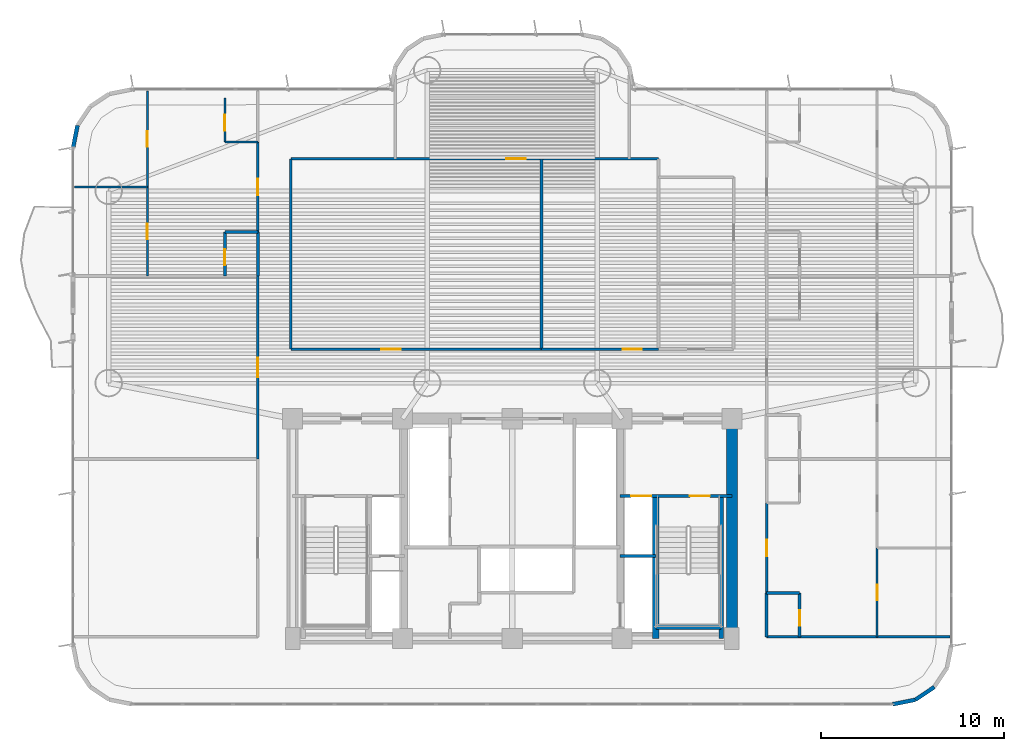
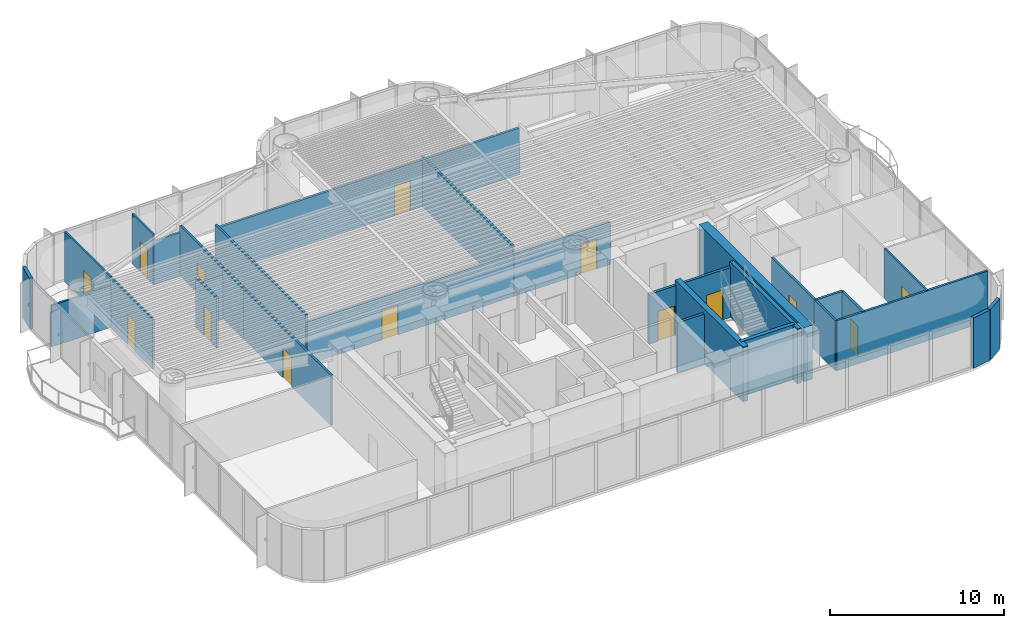
# One storey, part 11 of 18: 30 walls, 14 doors, 14 openings.
"""IFC4 building model written with IfcOpenShell, lengths in metres."""

from ifc_helpers import new_model, si_unit, direction, frame, frame_2d, origin, origin_2d, place, context, subcontext, project, spatial, rectangle, extrude, source, transform, mapped, material, layer, layer_set, type_object, element, fill, save


model = new_model("IFC4")

# Units and contexts
model_context = context("Model", 3, precision=1e-05, world=origin(), true_north=direction((0.0, 1.0)))
body_context = subcontext(model_context, "Body", "Model", "MODEL_VIEW")
ifc_project = project(units=[si_unit("LENGTHUNIT", "METRE"), si_unit("AREAUNIT", "SQUARE_METRE"), si_unit("VOLUMEUNIT", "CUBIC_METRE"), si_unit("PLANEANGLEUNIT", "RADIAN"), si_unit("MASSUNIT", "GRAM", prefix="KILO")], contexts=[model_context])

# Site, building, storey
site_placement = place(None, origin())
site = spatial("IfcSite", under=ifc_project, at=site_placement, CompositionType="ELEMENT")
building_placement = place(site_placement, origin())
building = spatial("IfcBuilding", under=site, at=building_placement, Name="Brelvock Crest Care Tower", CompositionType="ELEMENT")
storey_placement = place(building_placement, frame((0.0, 0.0, 72.360107421875)))
storey = spatial("IfcBuildingStorey", under=building, at=storey_placement, Name="L18", CompositionType="ELEMENT", Elevation=72.360107421875)

# Walls
ifc_material_1 = material(Name="Concrete S80 (80 MPa)", Category="concrete")
ifc_layer_1 = layer(ifc_material_1, 0.60009765625, Name="WL-CS1")
ifc_layer_set_1 = layer_set([ifc_layer_1], Name="Concrete S80 (80 MPa)")
wall_type_1 = type_object("IfcWallType", Name="WL-CS1", PredefinedType="SHEAR", material=ifc_layer_set_1)
wall_1_placement = place(storey_placement, frame((48.0, 18.0, 0.0), z_axis=(0.0, 0.0, 1.0), x_axis=(0.0, -1.0, 0.0)))
element("IfcWall", 1, at=wall_1_placement, inside=storey, type_object=wall_type_1, Name="L18 Core East Shear Wall", PredefinedType="SHEAR", context=body_context, shape_type="SweptSolid", body=[
    extrude(rectangle(XDim=12.0, YDim=0.60009765625, at=frame_2d((6.0, 0.0))), origin(), (0.0, 0.0, 1.0), 3.77978515625),
])
ifc_layer_2 = layer(ifc_material_1, 0.35009765625, Name="WL-CS5")
ifc_layer_set_2 = layer_set([ifc_layer_2], Name="Concrete S80 (80 MPa)")
wall_type_2 = type_object("IfcWallType", Name="WL-CS5", PredefinedType="SHEAR", material=ifc_layer_set_2)
wall_2_placement = place(storey_placement, frame((43.85009765625, 6.0, 0.0), z_axis=(0.0, 0.0, 1.0), x_axis=(0.0, 1.0, 0.0)))
element("IfcWall", 2, at=wall_2_placement, inside=storey, type_object=wall_type_2, Name="L18 Core Stair ST-2 West Shear Wall", PredefinedType="SHEAR", context=body_context, shape_type="SweptSolid", body=[
    extrude(rectangle(XDim=7.780029296875, YDim=0.35009765625, at=frame_2d((3.89013671875, 0.0))), origin(), (0.0, 0.0, 1.0), 3.849853515625),
])
ifc_layer_3 = layer(ifc_material_1, 0.25, Name="WL-CS6")
ifc_layer_set_3 = layer_set([ifc_layer_3], Name="Concrete S80 (80 MPa)")
wall_type_3 = type_object("IfcWallType", Name="WL-CS6", PredefinedType="SHEAR", material=ifc_layer_set_3)
wall_3_placement = place(storey_placement, frame((47.419921875, 6.0, 0.0), z_axis=(0.0, 0.0, 1.0), x_axis=(0.0, 1.0, 0.0)))
element("IfcWall", 3, at=wall_3_placement, inside=storey, type_object=wall_type_3, Name="L18 Core Stair ST-2 East Shear Wall", PredefinedType="SHEAR", context=body_context, shape_type="SweptSolid", body=[
    extrude(rectangle(XDim=7.780029296875, YDim=0.25, at=frame_2d((3.89013671875, 0.0))), origin(), (0.0, 0.0, 1.0), 3.849853515625),
])
wall_4_placement = place(storey_placement, frame((43.85009765625, 6.6201171875, 0.0), z_axis=(0.0, 0.0, 1.0), x_axis=(1.0, 0.0, 0.0)))
element("IfcWall", 4, at=wall_4_placement, inside=storey, type_object=wall_type_3, Name="L18 Core Stair ST-2 South Shear Wall", PredefinedType="SHEAR", context=body_context, shape_type="SweptSolid", body=[
    extrude(rectangle(XDim=3.56982421875, YDim=0.25, at=frame_2d((1.784912109375, 0.0))), origin(), (0.0, 0.0, 1.0), 3.849853515625),
])
ifc_material_2 = material(Name="Precast concrete N40 (40 MPa)", Category="concrete")
ifc_layer_4 = layer(ifc_material_2, 0.215087890625, Name="WL-EX2")
ifc_layer_set_4 = layer_set([ifc_layer_4], Name="Precast concrete N40 (40 MPa)")
wall_type_4 = type_object("IfcWallType", Name="WL-EX2", PredefinedType="SOLIDWALL", material=ifc_layer_set_4)
for number, where, z_axis, x_axis, name in (
    (5, (59.062744140625, 3.33740234375, 0.0), (0.0, 0.0, 1.0), (-0.831387912822, -0.555692485475, 0.0), "L18 Rounded Corner Wall 06"),
    (6, (58.024658203125, 2.6435546875, 0.0), (0.0, 0.0, 1.0), (-0.980775717779, -0.195138390419, 0.0), "L18 Rounded Corner Wall 07"),
    (7, (12.0, 32.800048828125, 0.0), (0.0, 0.0, 1.0), (0.195138390419, 0.980775717779, 0.0), "L18 Rounded Corner Wall 14"),
):
    element("IfcWall", number, at=place(storey_placement, frame(where, z_axis=z_axis, x_axis=x_axis)), inside=storey, type_object=wall_type_4, Name=name, PredefinedType="SOLIDWALL", context=body_context, shape_type="SweptSolid", body=[
        extrude(rectangle(XDim=1.24853515625, YDim=0.215087890625, at=frame_2d((0.624267578125, 0.0))), origin(), (0.0, 0.0, 1.0), 3.52978515625),
    ])
ifc_material_3 = material(Name="Masonry Blockwork Acoustic Partition", Category="masonry")
ifc_layer_5 = layer(ifc_material_3, 0.14990234375, Name="WL-INT1")
ifc_layer_set_5 = layer_set([ifc_layer_5], Name="Masonry Blockwork Acoustic Partition")
wall_type_5 = type_object("IfcWallType", Name="WL-INT1", PredefinedType="PARTITIONING", material=ifc_layer_set_5)
wall_5_placement = place(storey_placement, frame((49.89990234375, 6.080078125, 0.0), z_axis=(0.0, 0.0, 1.0), x_axis=(1.0, 0.0, 0.0)))
element("IfcWall", 8, at=wall_5_placement, inside=storey, type_object=wall_type_5, Name="L18 Interior Wall WL-BX-L18-FL-EW1-S", PredefinedType="PARTITIONING", context=body_context, shape_type="SweptSolid", body=[
    extrude(rectangle(XDim=10.02001953125, YDim=0.14990234375, at=frame_2d((5.010009765625, 0.0))), origin(), (0.0, 0.0, 1.0), 3.5),
])

# Wall, opening, door
wall_6_placement = place(storey_placement, frame((23.89990234375, 21.800048828125, 0.0), z_axis=(0.0, 0.0, 1.0), x_axis=(1.0, 0.0, 0.0)))
wall_6 = element("IfcWall", 9, at=wall_6_placement, inside=storey, type_object=wall_type_5, Name="L18 Interior Wall WL-RM-L18-CNW", PredefinedType="PARTITIONING", context=body_context, shape_type="SweptSolid", body=[
    extrude(rectangle(XDim=13.7001953125, YDim=0.14990234375, at=frame_2d((6.85009765625, 0.0))), origin(), (0.0, 0.0, 1.0), 2.98193359375),
])
opening_1_placement = place(wall_6_placement, frame((4.955078125, 0.0, 0.0)))
opening_1 = element("IfcOpeningElement", 10, at=opening_1_placement, cuts=wall_6, Name="Opening CLD-1", PredefinedType="OPENING", context=body_context, shape_type="SweptSolid", body=[
    extrude(rectangle(XDim=1.050048828125, YDim=2.10009765625, at=origin_2d()), frame((0.52490234375, 0.0849609375, 1.050048828125), z_axis=(0.0, -1.0, 0.0), x_axis=(1.0, 0.0, 0.0)), (0.0, 0.0, 1.0), 0.169921875),
])
ifc_material_4 = material(Name="Engineered Hardwood Timber", Category="wood")
door_type_1 = type_object("IfcDoorType", Name="DR-CLN1", OperationType="NOTDEFINED", PredefinedType="DOOR", material=ifc_material_4)
shared_shape_1 = source(origin(), body_context, "Body", "SweptSolid", [
    extrude(rectangle(XDim=1.050048828125, YDim=2.10009765625, at=origin_2d()), frame((0.52490234375, 0.02490234375, 1.050048828125), z_axis=(0.0, -1.0, 0.0), x_axis=(1.0, 0.0, 0.0)), (0.0, 0.0, 1.0), 0.050048828125),
])
door_1_placement = place(opening_1_placement, origin())
door_1 = element("IfcDoor", 11, at=door_1_placement, inside=storey, type_object=door_type_1, Name="L18 Communal Dining Conservatory Door CNW", OperationType="SINGLE_SWING_LEFT", OverallHeight=2.10009765625, OverallWidth=1.050048828125, PredefinedType="DOOR", context=body_context, shape_type="MappedRepresentation", body=[
    mapped(shared_shape_1, transform((0.0, 0.0, 0.0), x_axis=(1.0, 0.0, 0.0), y_axis=(0.0, 1.0, 0.0), z_axis=(0.0, 0.0, 1.0), scale=1.0)),
])
fill(opening_1, door_1)

wall_7_placement = place(storey_placement, frame((37.60009765625, 21.800048828125, 0.0), z_axis=(0.0, 0.0, 1.0), x_axis=(1.0, 0.0, 0.0)))
wall_7 = element("IfcWall", 12, at=wall_7_placement, inside=storey, type_object=wall_type_5, Name="L18 Interior Wall WL-RM-L18-CNE", PredefinedType="PARTITIONING", context=body_context, shape_type="SweptSolid", body=[
    extrude(rectangle(XDim=6.39990234375, YDim=0.14990234375, at=frame_2d((3.199951171875, 0.0))), origin(), (0.0, 0.0, 1.0), 2.98193359375),
])
opening_2_placement = place(wall_7_placement, frame((4.43505859375, 0.0, 0.0)))
opening_2 = element("IfcOpeningElement", 13, at=opening_2_placement, cuts=wall_7, Name="Opening CLD-1", PredefinedType="OPENING", context=body_context, shape_type="SweptSolid", body=[
    extrude(rectangle(XDim=1.050048828125, YDim=2.10009765625, at=origin_2d()), frame((0.52490234375, 0.0849609375, 1.050048828125), z_axis=(0.0, -1.0, 0.0), x_axis=(1.0, 0.0, 0.0)), (0.0, 0.0, 1.0), 0.169921875),
])
door_2_placement = place(opening_2_placement, origin())
door_2 = element("IfcDoor", 14, at=door_2_placement, inside=storey, type_object=door_type_1, Name="L18 Geriatric Nurse Consultation Hub Door CNE", OperationType="SINGLE_SWING_LEFT", OverallHeight=2.10009765625, OverallWidth=1.050048828125, PredefinedType="DOOR", context=body_context, shape_type="MappedRepresentation", body=[
    mapped(shared_shape_1, transform((0.0, 0.0, 0.0), x_axis=(1.0, 0.0, 0.0), y_axis=(0.0, 1.0, 0.0), z_axis=(0.0, 0.0, 1.0), scale=1.0)),
])
fill(opening_2, door_2)

wall_8_placement = place(storey_placement, frame((23.89990234375, 32.199951171875, 0.0), z_axis=(0.0, 0.0, 1.0), x_axis=(1.0, 0.0, 0.0)))
wall_8 = element("IfcWall", 15, at=wall_8_placement, inside=storey, type_object=wall_type_5, Name="L18 Interior Wall WL-RM-L18-NHUB", PredefinedType="PARTITIONING", context=body_context, shape_type="SweptSolid", body=[
    extrude(rectangle(XDim=20.10009765625, YDim=0.14990234375, at=frame_2d((10.050048828125, 0.0))), origin(), (0.0, 0.0, 1.0), 3.2587890625),
])
opening_3_placement = place(wall_8_placement, frame((11.77490234375, 0.0, 0.0)))
opening_3 = element("IfcOpeningElement", 16, at=opening_3_placement, cuts=wall_8, Name="Opening CLD-1", PredefinedType="OPENING", context=body_context, shape_type="SweptSolid", body=[
    extrude(rectangle(XDim=1.050048828125, YDim=2.10009765625, at=origin_2d()), frame((0.52490234375, 0.0849609375, 1.050048828125), z_axis=(0.0, -1.0, 0.0), x_axis=(1.0, 0.0, 0.0)), (0.0, 0.0, 1.0), 0.169921875),
])
door_3_placement = place(opening_3_placement, origin())
door_3 = element("IfcDoor", 17, at=door_3_placement, inside=storey, type_object=door_type_1, Name="L18 Harbour Wintergarden Lounge Door NHUB", OperationType="SINGLE_SWING_LEFT", OverallHeight=2.10009765625, OverallWidth=1.050048828125, PredefinedType="DOOR", context=body_context, shape_type="MappedRepresentation", body=[
    mapped(shared_shape_1, transform((0.0, 0.0, 0.0), x_axis=(1.0, 0.0, 0.0), y_axis=(0.0, 1.0, 0.0), z_axis=(0.0, 0.0, 1.0), scale=1.0)),
])
fill(opening_3, door_3)

wall_9_placement = place(storey_placement, frame((22.10009765625, 15.800048828125, 0.0), z_axis=(0.0, 0.0, 1.0), x_axis=(0.0, 1.0, 0.0)))
wall_9 = element("IfcWall", 18, at=wall_9_placement, inside=storey, type_object=wall_type_5, Name="L18 Interior Wall WL-RM-L18-WWC2", PredefinedType="PARTITIONING", context=body_context, shape_type="SweptSolid", body=[
    extrude(rectangle(XDim=10.0, YDim=0.14990234375, at=frame_2d((5.0, 0.0))), origin(), (0.0, 0.0, 1.0), 3.5),
])
opening_4_placement = place(wall_9_placement, frame((4.47509765625, 0.0, 0.0)))
opening_4 = element("IfcOpeningElement", 19, at=opening_4_placement, cuts=wall_9, Name="Opening CLD-1", PredefinedType="OPENING", context=body_context, shape_type="SweptSolid", body=[
    extrude(rectangle(XDim=1.050048828125, YDim=2.10009765625, at=origin_2d()), frame((0.52490234375, 0.0849609375, 1.050048828125), z_axis=(0.0, -1.0, 0.0), x_axis=(1.0, 0.0, 0.0)), (0.0, 0.0, 1.0), 0.169921875),
])
door_4_placement = place(opening_4_placement, origin())
door_4 = element("IfcDoor", 20, at=door_4_placement, inside=storey, type_object=door_type_1, Name="L18 Geriatric Day Recovery Salon Door WWC2", OperationType="SINGLE_SWING_LEFT", OverallHeight=2.10009765625, OverallWidth=1.050048828125, PredefinedType="DOOR", context=body_context, shape_type="MappedRepresentation", body=[
    mapped(shared_shape_1, transform((0.0, 0.0, 0.0), x_axis=(1.0, 0.0, 0.0), y_axis=(0.0, 1.0, 0.0), z_axis=(0.0, 0.0, 1.0), scale=1.0)),
])
fill(opening_4, door_4)

wall_10_placement = place(storey_placement, frame((22.10009765625, 28.199951171875, 0.0), z_axis=(0.0, 0.0, 1.0), x_axis=(0.0, 1.0, 0.0)))
wall_10 = element("IfcWall", 21, at=wall_10_placement, inside=storey, type_object=wall_type_5, Name="L18 Interior Wall WL-UENT-L18-WW3", PredefinedType="PARTITIONING", context=body_context, shape_type="SweptSolid", body=[
    extrude(rectangle(XDim=4.920166015625, YDim=0.14990234375, at=frame_2d((2.4599609375, 0.0))), origin(), (0.0, 0.0, 1.0), 3.5),
])
opening_5_placement = place(wall_10_placement, frame((2.0, 0.0, 0.0)))
opening_5 = element("IfcOpeningElement", 22, at=opening_5_placement, cuts=wall_10, Name="Opening AD-1", PredefinedType="OPENING", context=body_context, shape_type="SweptSolid", body=[
    extrude(rectangle(XDim=0.919921875, YDim=2.10009765625, at=origin_2d()), frame((0.4599609375, 0.0849609375, 1.050048828125), z_axis=(0.0, -1.0, 0.0), x_axis=(1.0, 0.0, 0.0)), (0.0, 0.0, 1.0), 0.169921875),
])
door_type_2 = type_object("IfcDoorType", Name="DR-APT1", OperationType="NOTDEFINED", PredefinedType="DOOR", material=ifc_material_4)
shared_shape_2 = source(origin(), body_context, "Body", "SweptSolid", [
    extrude(rectangle(XDim=0.919921875, YDim=2.10009765625, at=origin_2d()), frame((0.4599609375, 0.02490234375, 1.050048828125), z_axis=(0.0, -1.0, 0.0), x_axis=(1.0, 0.0, 0.0)), (0.0, 0.0, 1.0), 0.050048828125),
])
door_5_placement = place(opening_5_placement, origin())
door_5 = element("IfcDoor", 23, at=door_5_placement, inside=storey, type_object=door_type_2, Name="L18 Apartment Entrance WW3", OperationType="SINGLE_SWING_LEFT", OverallHeight=2.10009765625, OverallWidth=0.919921875, PredefinedType="DOOR", context=body_context, shape_type="MappedRepresentation", body=[
    mapped(shared_shape_2, transform((0.0, 0.0, 0.0), x_axis=(1.0, 0.0, 0.0), y_axis=(0.0, 1.0, 0.0), z_axis=(0.0, 0.0, 1.0), scale=1.0)),
])
fill(opening_5, door_5)

# Walls
for number, where, z_axis, x_axis, name in (
    (24, (23.89990234375, 21.800048828125, 0.0), (0.0, 0.0, 1.0), (0.0, 1.0, 0.0), "L18 Interior Wall WL-BX-L18-CNW-W"),
    (25, (37.60009765625, 21.800048828125, 0.0), (0.0, 0.0, 1.0), (0.0, 1.0, 0.0), "L18 Interior Wall WL-BX-L18-CNE-W"),
):
    element("IfcWall", number, at=place(storey_placement, frame(where, z_axis=z_axis, x_axis=x_axis)), inside=storey, type_object=wall_type_5, Name=name, PredefinedType="PARTITIONING", context=body_context, shape_type="SweptSolid", body=[
        extrude(rectangle(XDim=10.39990234375, YDim=0.14990234375, at=frame_2d((5.199951171875, 0.0))), origin(), (0.0, 0.0, 1.0), 3.5),
    ])

# Wall, opening, door
wall_11_placement = place(storey_placement, frame((49.89990234375, 8.47998046875, 0.0), z_axis=(0.0, 0.0, 1.0), x_axis=(0.0, 1.0, 0.0)))
wall_11 = element("IfcWall", 26, at=wall_11_placement, inside=storey, type_object=wall_type_5, Name="L18 Interior Wall WL-UENT-L18-EW1", PredefinedType="PARTITIONING", context=body_context, shape_type="SweptSolid", body=[
    extrude(rectangle(XDim=4.919921875, YDim=0.14990234375, at=frame_2d((2.4599609375, 0.0))), origin(), (0.0, 0.0, 1.0), 3.5),
])
opening_6_placement = place(wall_11_placement, frame((2.0, 0.0, 0.0)))
opening_6 = element("IfcOpeningElement", 27, at=opening_6_placement, cuts=wall_11, Name="Opening AD-1", PredefinedType="OPENING", context=body_context, shape_type="SweptSolid", body=[
    extrude(rectangle(XDim=0.919921875, YDim=2.10009765625, at=origin_2d()), frame((0.4599609375, 0.0849609375, 1.050048828125), z_axis=(0.0, -1.0, 0.0), x_axis=(1.0, 0.0, 0.0)), (0.0, 0.0, 1.0), 0.169921875),
])
door_6_placement = place(opening_6_placement, origin())
door_6 = element("IfcDoor", 28, at=door_6_placement, inside=storey, type_object=door_type_2, Name="L18 Apartment Entrance EW1", OperationType="SINGLE_SWING_LEFT", OverallHeight=2.10009765625, OverallWidth=0.919921875, PredefinedType="DOOR", context=body_context, shape_type="MappedRepresentation", body=[
    mapped(shared_shape_2, transform((0.0, 0.0, 0.0), x_axis=(1.0, 0.0, 0.0), y_axis=(0.0, 1.0, 0.0), z_axis=(0.0, 0.0, 1.0), scale=1.0)),
])
fill(opening_6, door_6)

# Walls
ifc_material_5 = material(Name="Gypsum Plasterboard Partition", Category="gypsum")
ifc_layer_6 = layer(ifc_material_5, 0.1201171875, Name="WL-INT2")
ifc_layer_set_6 = layer_set([ifc_layer_6], Name="Gypsum Plasterboard Partition")
wall_type_6 = type_object("IfcWallType", Name="WL-INT2", PredefinedType="PARTITIONING", material=ifc_layer_set_6)
wall_12_placement = place(storey_placement, frame((12.080078125, 30.659912109375, 0.0), z_axis=(0.0, 0.0, 1.0), x_axis=(1.0, 0.0, 0.0)))
element("IfcWall", 29, at=wall_12_placement, inside=storey, type_object=wall_type_6, Name="L18 Interior Wall WL-UBSP-L18-WW3", PredefinedType="PARTITIONING", context=body_context, shape_type="SweptSolid", body=[
    extrude(rectangle(XDim=3.98388671875, YDim=0.1201171875, at=frame_2d((1.991943359375, 0.0))), origin(), (0.0, 0.0, 1.0), 2.90283203125),
])
wall_13_placement = place(storey_placement, frame((20.300048828125, 33.1201171875, 0.0), z_axis=(0.0, 0.0, 1.0), x_axis=(1.0, 0.0, 0.0)))
element("IfcWall", 30, at=wall_13_placement, inside=storey, type_object=wall_type_6, Name="L18 Interior Wall WL-UKIT2-L18-WW3", PredefinedType="PARTITIONING", context=body_context, shape_type="SweptSolid", body=[
    extrude(rectangle(XDim=1.800048828125, YDim=0.1201171875, at=frame_2d((0.89990234375, 0.0))), origin(), (0.0, 0.0, 1.0), 3.054931640625),
])

# Wall, opening, door
wall_14_placement = place(storey_placement, frame((16.06396484375, 25.800048828125, 0.0), z_axis=(0.0, 0.0, 1.0), x_axis=(0.0, 1.0, 0.0)))
wall_14 = element("IfcWall", 31, at=wall_14_placement, inside=storey, type_object=wall_type_6, Name="L18 Interior Wall WL-UBD1-L18-WW3", PredefinedType="PARTITIONING", context=body_context, shape_type="SweptSolid", body=[
    extrude(rectangle(XDim=4.85986328125, YDim=0.1201171875, at=frame_2d((2.429931640625, 0.0))), origin(), (0.0, 0.0, 1.0), 3.5),
])
opening_7_placement = place(wall_14_placement, frame((2.0, 0.0, 0.0)))
opening_7 = element("IfcOpeningElement", 32, at=opening_7_placement, cuts=wall_14, Name="Opening ID-1", PredefinedType="OPENING", context=body_context, shape_type="SweptSolid", body=[
    extrude(rectangle(XDim=0.860107421875, YDim=2.10009765625, at=origin_2d()), frame((0.43017578125, 0.070068359375, 1.050048828125), z_axis=(0.0, -1.0, 0.0), x_axis=(1.0, 0.0, 0.0)), (0.0, 0.0, 1.0), 0.14013671875),
])
door_type_3 = type_object("IfcDoorType", Name="DR-INT1", OperationType="NOTDEFINED", PredefinedType="DOOR", material=ifc_material_4)
shared_shape_3 = source(origin(), body_context, "Body", "SweptSolid", [
    extrude(rectangle(XDim=0.860107421875, YDim=2.10009765625, at=origin_2d()), frame((0.43017578125, 0.02490234375, 1.050048828125), z_axis=(0.0, -1.0, 0.0), x_axis=(1.0, 0.0, 0.0)), (0.0, 0.0, 1.0), 0.050048828125),
])
door_7_placement = place(opening_7_placement, origin())
door_7 = element("IfcDoor", 33, at=door_7_placement, inside=storey, type_object=door_type_3, Name="L18 Primary Bedroom Door WW3", OperationType="SINGLE_SWING_RIGHT", OverallHeight=2.10009765625, OverallWidth=0.860107421875, PredefinedType="DOOR", context=body_context, shape_type="MappedRepresentation", body=[
    mapped(shared_shape_3, transform((0.0, 0.0, 0.0), x_axis=(1.0, 0.0, 0.0), y_axis=(0.0, 1.0, 0.0), z_axis=(0.0, 0.0, 1.0), scale=1.0)),
])
fill(opening_7, door_7)

wall_15_placement = place(storey_placement, frame((16.06396484375, 30.659912109375, 0.0), z_axis=(0.0, 0.0, 1.0), x_axis=(0.0, 1.0, 0.0)))
wall_15 = element("IfcWall", 34, at=wall_15_placement, inside=storey, type_object=wall_type_6, Name="L18 Interior Wall WL-UBD2-L18-WW3", PredefinedType="PARTITIONING", context=body_context, shape_type="SweptSolid", body=[
    extrude(rectangle(XDim=5.26025390625, YDim=0.1201171875, at=frame_2d((2.630126953125, 0.0))), origin(), (0.0, 0.0, 1.0), 3.5),
])
opening_8_placement = place(wall_15_placement, frame((2.199951171875, 0.0, 0.0)))
opening_8 = element("IfcOpeningElement", 35, at=opening_8_placement, cuts=wall_15, Name="Opening ID-1", PredefinedType="OPENING", context=body_context, shape_type="SweptSolid", body=[
    extrude(rectangle(XDim=0.860107421875, YDim=2.10009765625, at=origin_2d()), frame((0.43017578125, 0.070068359375, 1.050048828125), z_axis=(0.0, -1.0, 0.0), x_axis=(1.0, 0.0, 0.0)), (0.0, 0.0, 1.0), 0.14013671875),
])
door_8_placement = place(opening_8_placement, origin())
door_8 = element("IfcDoor", 36, at=door_8_placement, inside=storey, type_object=door_type_3, Name="L18 Second Room Door WW3", OperationType="SINGLE_SWING_LEFT", OverallHeight=2.10009765625, OverallWidth=0.860107421875, PredefinedType="DOOR", context=body_context, shape_type="MappedRepresentation", body=[
    mapped(shared_shape_3, transform((0.0, 0.0, 0.0), x_axis=(1.0, 0.0, 0.0), y_axis=(0.0, 1.0, 0.0), z_axis=(0.0, 0.0, 1.0), scale=1.0)),
])
fill(opening_8, door_8)

wall_16_placement = place(storey_placement, frame((20.300048828125, 33.1201171875, 0.0), z_axis=(0.0, 0.0, 1.0), x_axis=(0.0, 1.0, 0.0)))
wall_16 = element("IfcWall", 37, at=wall_16_placement, inside=storey, type_object=wall_type_6, Name="L18 Interior Wall WL-UKIT1-L18-WW3", PredefinedType="PARTITIONING", context=body_context, shape_type="SweptSolid", body=[
    extrude(rectangle(XDim=2.39990234375, YDim=0.1201171875, at=frame_2d((1.199951171875, 0.0))), origin(), (0.0, 0.0, 1.0), 3.5),
])
opening_9_placement = place(wall_16_placement, frame((0.6201171875, 0.0, 0.0)))
opening_9 = element("IfcOpeningElement", 38, at=opening_9_placement, cuts=wall_16, Name="Opening ID-1", PredefinedType="OPENING", context=body_context, shape_type="SweptSolid", body=[
    extrude(rectangle(XDim=0.860107421875, YDim=2.10009765625, at=origin_2d()), frame((0.43017578125, 0.070068359375, 1.050048828125), z_axis=(0.0, -1.0, 0.0), x_axis=(1.0, 0.0, 0.0)), (0.0, 0.0, 1.0), 0.14013671875),
])
door_9_placement = place(opening_9_placement, origin())
door_9 = element("IfcDoor", 39, at=door_9_placement, inside=storey, type_object=door_type_3, Name="L18 Kitchen Door WW3", OperationType="SINGLE_SWING_LEFT", OverallHeight=2.10009765625, OverallWidth=0.860107421875, PredefinedType="DOOR", context=body_context, shape_type="MappedRepresentation", body=[
    mapped(shared_shape_3, transform((0.0, 0.0, 0.0), x_axis=(1.0, 0.0, 0.0), y_axis=(0.0, 1.0, 0.0), z_axis=(0.0, 0.0, 1.0), scale=1.0)),
])
fill(opening_9, door_9)

wall_17_placement = place(storey_placement, frame((55.93603515625, 6.080078125, 0.0), z_axis=(0.0, 0.0, 1.0), x_axis=(0.0, 1.0, 0.0)))
wall_17 = element("IfcWall", 40, at=wall_17_placement, inside=storey, type_object=wall_type_6, Name="L18 Interior Wall WL-UBD1-L18-EW1", PredefinedType="PARTITIONING", context=body_context, shape_type="SweptSolid", body=[
    extrude(rectangle(XDim=4.85986328125, YDim=0.1201171875, at=frame_2d((2.429931640625, 0.0))), origin(), (0.0, 0.0, 1.0), 3.5),
])
opening_10_placement = place(wall_17_placement, frame((2.0, 0.0, 0.0)))
opening_10 = element("IfcOpeningElement", 41, at=opening_10_placement, cuts=wall_17, Name="Opening ID-1", PredefinedType="OPENING", context=body_context, shape_type="SweptSolid", body=[
    extrude(rectangle(XDim=0.860107421875, YDim=2.10009765625, at=origin_2d()), frame((0.43017578125, 0.070068359375, 1.050048828125), z_axis=(0.0, -1.0, 0.0), x_axis=(1.0, 0.0, 0.0)), (0.0, 0.0, 1.0), 0.14013671875),
])
door_10_placement = place(opening_10_placement, origin())
door_10 = element("IfcDoor", 42, at=door_10_placement, inside=storey, type_object=door_type_3, Name="L18 Primary Bedroom Door EW1", OperationType="SINGLE_SWING_RIGHT", OverallHeight=2.10009765625, OverallWidth=0.860107421875, PredefinedType="DOOR", context=body_context, shape_type="MappedRepresentation", body=[
    mapped(shared_shape_3, transform((0.0, 0.0, 0.0), x_axis=(1.0, 0.0, 0.0), y_axis=(0.0, 1.0, 0.0), z_axis=(0.0, 0.0, 1.0), scale=1.0)),
])
fill(opening_10, door_10)

# Walls
ifc_layer_7 = layer(ifc_material_5, 0.159912109375, Name="WL-PLM1")
ifc_layer_set_7 = layer_set([ifc_layer_7], Name="Gypsum Plasterboard Partition")
wall_type_7 = type_object("IfcWallType", Name="WL-PLM1", PredefinedType="PLUMBINGWALL", material=ifc_layer_set_7)
wall_18_placement = place(storey_placement, frame((49.89990234375, 8.47998046875, 0.0), z_axis=(0.0, 0.0, 1.0), x_axis=(1.0, 0.0, 0.0)))
element("IfcWall", 43, at=wall_18_placement, inside=storey, type_object=wall_type_7, Name="L18 Interior Wall WL-UBTH2-L18-EW1", PredefinedType="PLUMBINGWALL", context=body_context, shape_type="SweptSolid", body=[
    extrude(rectangle(XDim=1.800048828125, YDim=0.159912109375, at=frame_2d((0.89990234375, 0.0))), origin(), (0.0, 0.0, 1.0), 3.5),
])
wall_19_placement = place(storey_placement, frame((20.300048828125, 28.199951171875, 0.0), z_axis=(0.0, 0.0, 1.0), x_axis=(1.0, 0.0, 0.0)))
element("IfcWall", 44, at=wall_19_placement, inside=storey, type_object=wall_type_7, Name="L18 Interior Wall WL-UBTH2-L18-WW3", PredefinedType="PLUMBINGWALL", context=body_context, shape_type="SweptSolid", body=[
    extrude(rectangle(XDim=1.800048828125, YDim=0.159912109375, at=frame_2d((0.89990234375, 0.0))), origin(), (0.0, 0.0, 1.0), 2.98193359375),
])

# Wall, opening, door
wall_20_placement = place(storey_placement, frame((20.300048828125, 25.800048828125, 0.0), z_axis=(0.0, 0.0, 1.0), x_axis=(0.0, 1.0, 0.0)))
wall_20 = element("IfcWall", 45, at=wall_20_placement, inside=storey, type_object=wall_type_7, Name="L18 Interior Wall WL-UBTH1-L18-WW3", PredefinedType="PLUMBINGWALL", context=body_context, shape_type="SweptSolid", body=[
    extrude(rectangle(XDim=2.39990234375, YDim=0.159912109375, at=frame_2d((1.199951171875, 0.0))), origin(), (0.0, 0.0, 1.0), 3.5),
])
opening_11_placement = place(wall_20_placement, frame((0.60009765625, 0.0, 0.0)))
opening_11 = element("IfcOpeningElement", 46, at=opening_11_placement, cuts=wall_20, Name="Opening WD-1", PredefinedType="OPENING", context=body_context, shape_type="SweptSolid", body=[
    extrude(rectangle(XDim=0.860107421875, YDim=2.10009765625, at=origin_2d()), frame((0.43017578125, 0.08984375, 1.050048828125), z_axis=(0.0, -1.0, 0.0), x_axis=(1.0, 0.0, 0.0)), (0.0, 0.0, 1.0), 0.179931640625),
])
door_type_4 = type_object("IfcDoorType", Name="DR-WC1", OperationType="NOTDEFINED", PredefinedType="DOOR", material=ifc_material_4)
shared_shape_4 = source(origin(), body_context, "Body", "SweptSolid", [
    extrude(rectangle(XDim=0.860107421875, YDim=2.10009765625, at=origin_2d()), frame((0.43017578125, 0.02490234375, 1.050048828125), z_axis=(0.0, -1.0, 0.0), x_axis=(1.0, 0.0, 0.0)), (0.0, 0.0, 1.0), 0.050048828125),
])
door_11_placement = place(opening_11_placement, origin())
door_11 = element("IfcDoor", 47, at=door_11_placement, inside=storey, type_object=door_type_4, Name="L18 Bathroom Door WW3", OperationType="SINGLE_SWING_LEFT", OverallHeight=2.10009765625, OverallWidth=0.860107421875, PredefinedType="DOOR", context=body_context, shape_type="MappedRepresentation", body=[
    mapped(shared_shape_4, transform((0.0, 0.0, 0.0), x_axis=(1.0, 0.0, 0.0), y_axis=(0.0, 1.0, 0.0), z_axis=(0.0, 0.0, 1.0), scale=1.0)),
])
fill(opening_11, door_11)

# Walls
for number, where, z_axis, x_axis, name in (
    (48, (22.10009765625, 25.800048828125, 0.0), (0.0, 0.0, 1.0), (0.0, 1.0, 0.0), "L18 Interior Wall WL-UCB-L18-WW3"),
    (49, (49.89990234375, 6.080078125, 0.0), (0.0, 0.0, 1.0), (0.0, 1.0, 0.0), "L18 Interior Wall WL-UCB-L18-EW1"),
):
    element("IfcWall", number, at=place(storey_placement, frame(where, z_axis=z_axis, x_axis=x_axis)), inside=storey, type_object=wall_type_7, Name=name, PredefinedType="PLUMBINGWALL", context=body_context, shape_type="SweptSolid", body=[
        extrude(rectangle(XDim=2.39990234375, YDim=0.159912109375, at=frame_2d((1.199951171875, 0.0))), origin(), (0.0, 0.0, 1.0), 3.5),
    ])

# Wall, opening, door
wall_21_placement = place(storey_placement, frame((51.699951171875, 6.080078125, 0.0), z_axis=(0.0, 0.0, 1.0), x_axis=(0.0, 1.0, 0.0)))
wall_21 = element("IfcWall", 50, at=wall_21_placement, inside=storey, type_object=wall_type_7, Name="L18 Interior Wall WL-UBTH1-L18-EW1", PredefinedType="PLUMBINGWALL", context=body_context, shape_type="SweptSolid", body=[
    extrude(rectangle(XDim=2.39990234375, YDim=0.159912109375, at=frame_2d((1.199951171875, 0.0))), origin(), (0.0, 0.0, 1.0), 3.5),
])
opening_12_placement = place(wall_21_placement, frame((0.60009765625, 0.0, 0.0)))
opening_12 = element("IfcOpeningElement", 51, at=opening_12_placement, cuts=wall_21, Name="Opening WD-1", PredefinedType="OPENING", context=body_context, shape_type="SweptSolid", body=[
    extrude(rectangle(XDim=0.860107421875, YDim=2.10009765625, at=origin_2d()), frame((0.43017578125, 0.08984375, 1.050048828125), z_axis=(0.0, -1.0, 0.0), x_axis=(1.0, 0.0, 0.0)), (0.0, 0.0, 1.0), 0.179931640625),
])
door_12_placement = place(opening_12_placement, origin())
door_12 = element("IfcDoor", 52, at=door_12_placement, inside=storey, type_object=door_type_4, Name="L18 Bathroom Door EW1", OperationType="SINGLE_SWING_LEFT", OverallHeight=2.10009765625, OverallWidth=0.860107421875, PredefinedType="DOOR", context=body_context, shape_type="MappedRepresentation", body=[
    mapped(shared_shape_4, transform((0.0, 0.0, 0.0), x_axis=(1.0, 0.0, 0.0), y_axis=(0.0, 1.0, 0.0), z_axis=(0.0, 0.0, 1.0), scale=1.0)),
])
fill(opening_12, door_12)

# Wall, openings, doors
ifc_layer_8 = layer(ifc_material_3, 0.179931640625, Name="WL-SHF1")
ifc_layer_set_8 = layer_set([ifc_layer_8], Name="Masonry Blockwork Acoustic Partition")
wall_type_8 = type_object("IfcWallType", Name="WL-SHF1", PredefinedType="PARTITIONING", material=ifc_layer_set_8)
wall_22_placement = place(storey_placement, frame((41.89990234375, 13.780029296875, 0.0), z_axis=(0.0, 0.0, 1.0), x_axis=(1.0, 0.0, 0.0)))
wall_22 = element("IfcWall", 53, at=wall_22_placement, inside=storey, type_object=wall_type_8, Name="L18 Interior Wall WL-ST2-N-L18", PredefinedType="PARTITIONING", context=body_context, shape_type="SweptSolid", body=[
    extrude(rectangle(XDim=6.10009765625, YDim=0.179931640625, at=frame_2d((3.050048828125, 0.0))), origin(), (0.0, 0.0, 1.0), 3.5),
])
opening_13_placement = place(wall_22_placement, frame((0.60009765625, 0.0, 0.0)))
opening_13 = element("IfcOpeningElement", 54, at=opening_13_placement, cuts=wall_22, Name="Opening LD", PredefinedType="OPENING", context=body_context, shape_type="SweptSolid", body=[
    extrude(rectangle(XDim=1.10009765625, YDim=2.10009765625, at=origin_2d()), frame((0.550048828125, 0.10009765625, 1.050048828125), z_axis=(0.0, -1.0, 0.0), x_axis=(1.0, 0.0, 0.0)), (0.0, 0.0, 1.0), 0.199951171875),
])
opening_14_placement = place(wall_22_placement, frame((3.800048828125, 0.0, 0.0)))
opening_14 = element("IfcOpeningElement", 55, at=opening_14_placement, cuts=wall_22, Name="Opening SD-1", PredefinedType="OPENING", context=body_context, shape_type="SweptSolid", body=[
    extrude(rectangle(XDim=1.10009765625, YDim=2.10009765625, at=origin_2d()), frame((0.550048828125, 0.10009765625, 1.050048828125), z_axis=(0.0, -1.0, 0.0), x_axis=(1.0, 0.0, 0.0)), (0.0, 0.0, 1.0), 0.199951171875),
])
ifc_material_6 = material(Name="Steel Grade 350", Category="steel")
door_type_5 = type_object("IfcDoorType", Name="DR-ST1", OperationType="NOTDEFINED", PredefinedType="DOOR", material=ifc_material_6)
shared_shape_5 = source(origin(), body_context, "Body", "SweptSolid", [
    extrude(rectangle(XDim=1.10009765625, YDim=2.10009765625, at=origin_2d()), frame((0.550048828125, 0.02490234375, 1.050048828125), z_axis=(0.0, -1.0, 0.0), x_axis=(1.0, 0.0, 0.0)), (0.0, 0.0, 1.0), 0.050048828125),
])
door_13_placement = place(opening_14_placement, origin())
door_13 = element("IfcDoor", 56, at=door_13_placement, inside=storey, type_object=door_type_5, Name="L18 Fire Stair ST-2 Door", OperationType="SINGLE_SWING_RIGHT", OverallHeight=2.10009765625, OverallWidth=1.10009765625, PredefinedType="DOOR", context=body_context, shape_type="MappedRepresentation", body=[
    mapped(shared_shape_5, transform((0.0, 0.0, 0.0), x_axis=(1.0, 0.0, 0.0), y_axis=(0.0, 1.0, 0.0), z_axis=(0.0, 0.0, 1.0), scale=1.0)),
])
fill(opening_14, door_13)
door_type_6 = type_object("IfcDoorType", Name="DR-LD1", OperationType="NOTDEFINED", PredefinedType="DOOR", material=ifc_material_6)
shared_shape_6 = source(origin(), body_context, "Body", "SweptSolid", [
    extrude(rectangle(XDim=1.10009765625, YDim=2.10009765625, at=origin_2d()), frame((0.550048828125, 0.02490234375, 1.050048828125), z_axis=(0.0, -1.0, 0.0), x_axis=(1.0, 0.0, 0.0)), (0.0, 0.0, 1.0), 0.050048828125),
])
door_14_placement = place(opening_13_placement, origin())
door_14 = element("IfcDoor", 57, at=door_14_placement, inside=storey, type_object=door_type_6, Name="L18 Firefighting Lift FFL-2 Landing Door", OperationType="SLIDING_TO_RIGHT", OverallHeight=2.10009765625, OverallWidth=1.10009765625, PredefinedType="DOOR", context=body_context, shape_type="MappedRepresentation", body=[
    mapped(shared_shape_6, transform((0.0, 0.0, 0.0), x_axis=(1.0, 0.0, 0.0), y_axis=(0.0, 1.0, 0.0), z_axis=(0.0, 0.0, 1.0), scale=1.0)),
])
fill(opening_13, door_14)

# Wall
wall_23_placement = place(storey_placement, frame((41.89990234375, 10.5, 0.0), z_axis=(0.0, 0.0, 1.0), x_axis=(1.0, 0.0, 0.0)))
element("IfcWall", 58, at=wall_23_placement, inside=storey, type_object=wall_type_8, Name="L18 Interior Wall WL-FFH2-S-L18", PredefinedType="PARTITIONING", context=body_context, shape_type="SweptSolid", body=[
    extrude(rectangle(XDim=1.9501953125, YDim=0.179931640625, at=frame_2d((0.97509765625, 0.0))), origin(), (0.0, 0.0, 1.0), 3.5),
])

save(model, "model.ifc")
